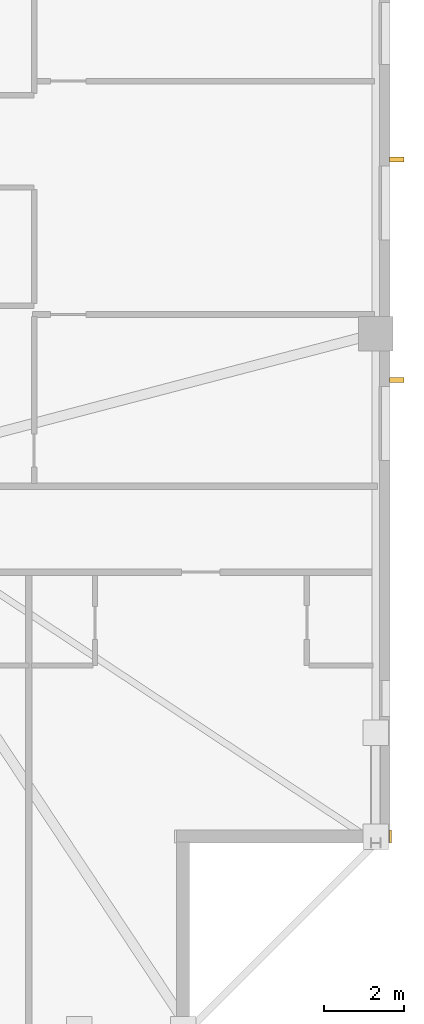
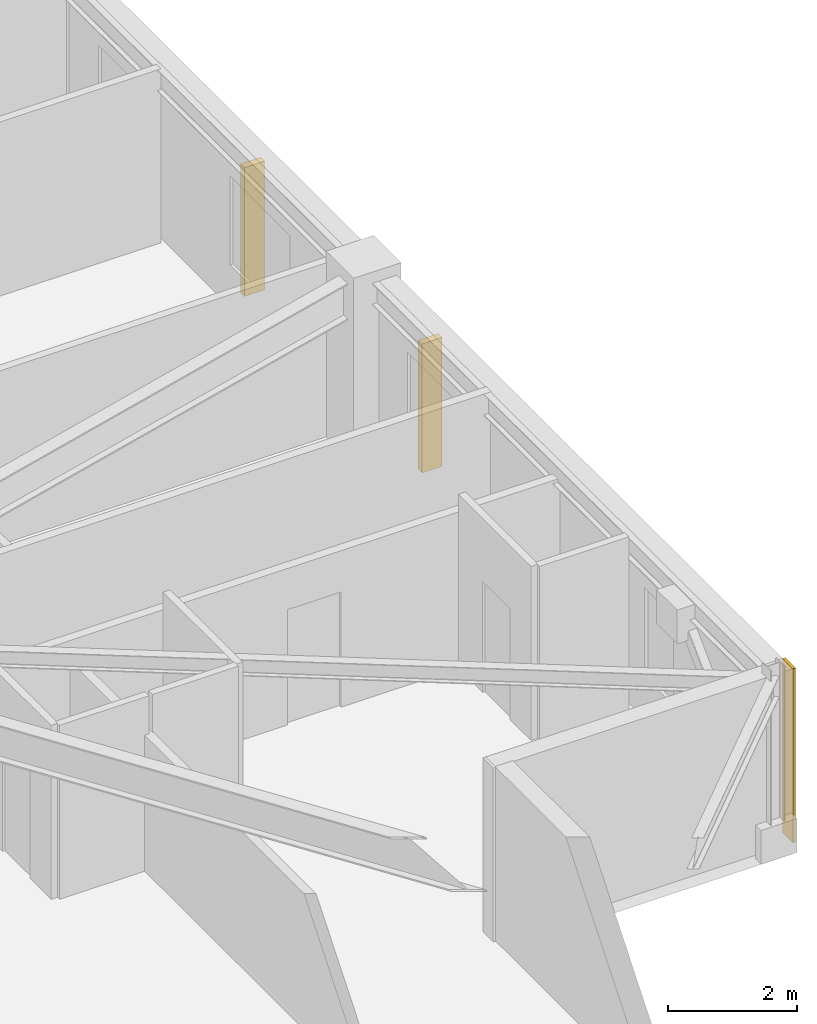
# One storey, part 15 of 17: 2 shading devices, 1 covering.
"""IFC4 building model written with IfcOpenShell, lengths in metres."""

from ifc_helpers import new_model, si_unit, direction, frame, frame_2d, origin, origin_2d, place, context, subcontext, project, spatial, rectangle, extrude, material, layer, layer_set, type_object, element, save


model = new_model("IFC4")

# Units and contexts
model_context = context("Model", 3, precision=1e-05, world=origin(), true_north=direction((0.0, 1.0)))
body_context = subcontext(model_context, "Body", "Model", "MODEL_VIEW")
ifc_project = project(units=[si_unit("LENGTHUNIT", "METRE"), si_unit("AREAUNIT", "SQUARE_METRE"), si_unit("VOLUMEUNIT", "CUBIC_METRE"), si_unit("PLANEANGLEUNIT", "RADIAN"), si_unit("MASSUNIT", "GRAM", prefix="KILO")], contexts=[model_context])

# Site, building, storey
site_placement = place(None, origin())
site = spatial("IfcSite", under=ifc_project, at=site_placement, CompositionType="ELEMENT")
building_placement = place(site_placement, origin())
building = spatial("IfcBuilding", under=site, at=building_placement, Name="Cairnveth Concourse Tower", CompositionType="ELEMENT")
storey_placement = place(building_placement, frame((0.0, 0.0, 251.5)))
storey = spatial("IfcBuildingStorey", under=building, at=storey_placement, Name="L69", CompositionType="ELEMENT", Elevation=251.5)

# Covering
ifc_material_1 = material(Name="Dressed Melbourne Bluestone Cladding", Category="masonry")
ifc_layer = layer(ifc_material_1, 0.050048828125)
ifc_layer_set = layer_set([ifc_layer], Name="Dressed Melbourne Bluestone Cladding")
covering_type = type_object("IfcCoveringType", Name="DRESSED BLUESTONE PLINTH CLADDING 50", PredefinedType="CLADDING", material=ifc_layer_set)
covering_placement = place(storey_placement, frame((74.52001953125, 21.820068359375, 0.0), z_axis=(0.0, 0.0, 1.0), x_axis=(0.0, -1.0, 0.0)))
element("IfcCovering", 1, at=covering_placement, inside=storey, type_object=covering_type, Name="Melbourne Bluestone Corner Quoin L69-1046", PredefinedType="CLADDING", context=body_context, shape_type="SweptSolid", body=[
    extrude(rectangle(XDim=0.320068359375, YDim=0.050048828125, at=frame_2d((0.16015625, 0.0))), origin(), (0.0, 0.0, 1.0), 3.2900390625),
])

# Shading devices
ifc_material_2 = material(Name="Architectural Bronze Anodised Aluminium 6063-T6", Category="aluminium")
shading_device_type = type_object("IfcShadingDeviceType", Name="GOTHIC BRONZE VERTICAL LANCET FIN", PredefinedType="USERDEFINED", material=ifc_material_2)
for number, where, z_axis, x_axis, name in (
    (2, (74.675048828125, 38.54638671875, 0.030029296875), (0.0, 0.0, 1.0), (0.0, 1.0, 0.0), "Gothic Bronze Vertical Fin L69-6-5"),
    (3, (74.675048828125, 33.0458984375, 0.030029296875), (0.0, 0.0, 1.0), (0.0, 1.0, 0.0), "Gothic Bronze Vertical Fin L69-6-7"),
):
    element("IfcShadingDevice", number, at=place(storey_placement, frame(where, z_axis=z_axis, x_axis=x_axis)), inside=storey, type_object=shading_device_type, Name=name, ObjectType="VERTICAL FIN", PredefinedType="USERDEFINED", context=body_context, shape_type="SweptSolid", body=[
        extrude(rectangle(XDim=0.1201171875, YDim=0.360107421875, at=origin_2d()), origin(), (0.0, 0.0, 1.0), 2.43798828125),
    ])

save(model, "model.ifc")
